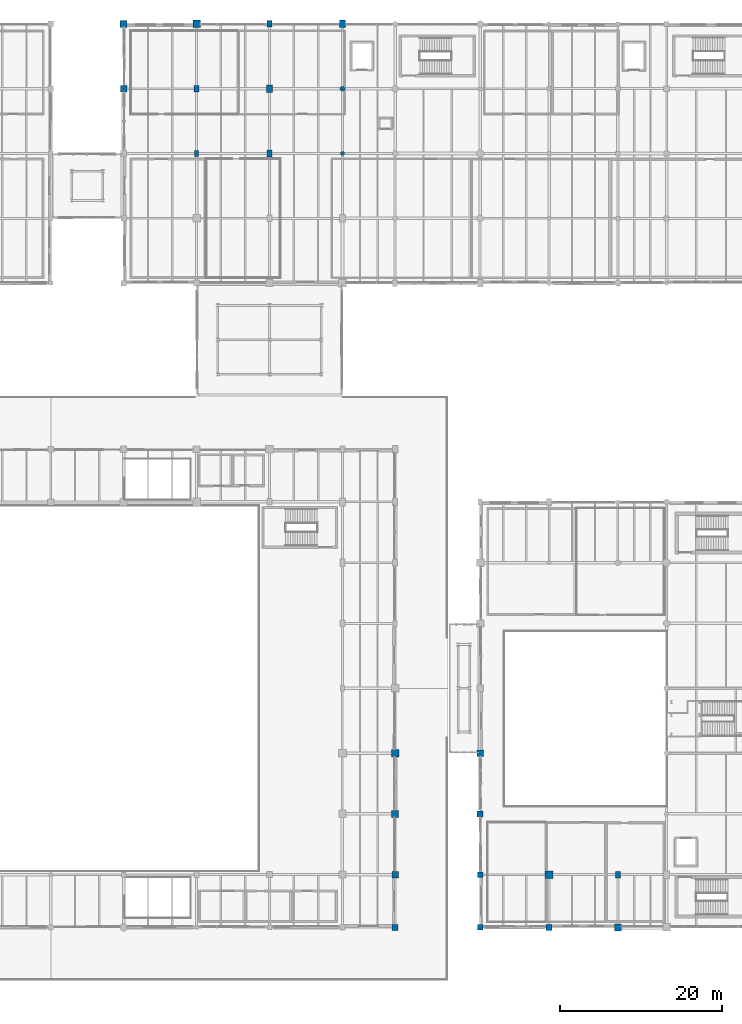
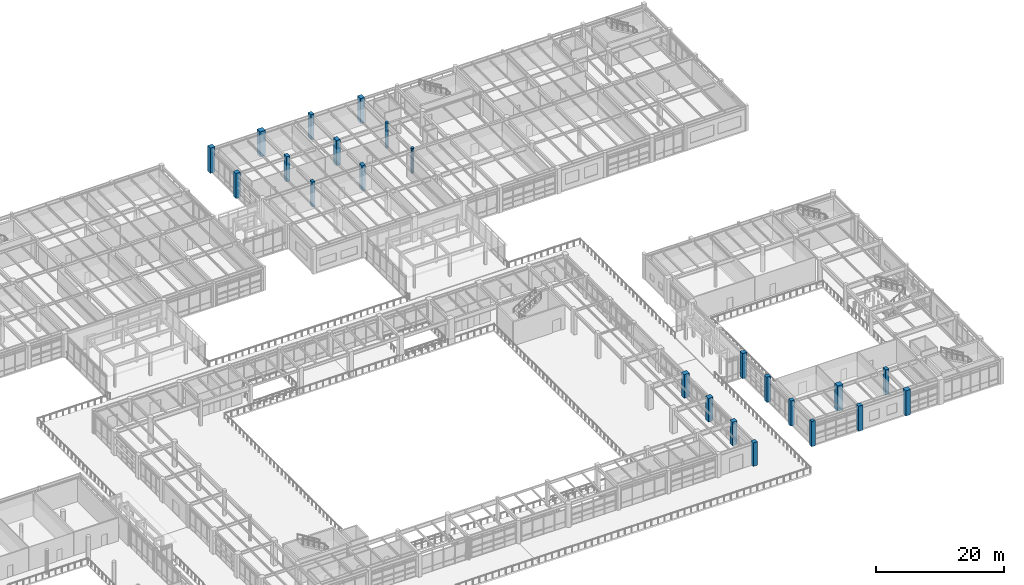
# One storey, part 11 of 200: 23 columns.
"""IFC4 building model written with IfcOpenShell, lengths in metres."""

from ifc_helpers import new_model, si_unit, direction, frame, origin, origin_2d, place, context, subcontext, project, spatial, rectangle, circle, extrude, material, material_profile, profile_set, type_object, element, save


model = new_model("IFC4")

# Units and contexts
model_context = context("Model", 3, precision=1e-05, world=origin(), true_north=direction((0.0, 1.0)))
body_context = subcontext(model_context, "Body", "Model", "MODEL_VIEW")
ifc_project = project(units=[si_unit("LENGTHUNIT", "METRE"), si_unit("AREAUNIT", "SQUARE_METRE"), si_unit("VOLUMEUNIT", "CUBIC_METRE"), si_unit("PLANEANGLEUNIT", "RADIAN"), si_unit("MASSUNIT", "GRAM", prefix="KILO"), si_unit("THERMODYNAMICTEMPERATUREUNIT", "KELVIN"), si_unit("POWERUNIT", "WATT")], contexts=[model_context])

# Site, building, storey
site_placement = place(None, origin())
site = spatial("IfcSite", under=ifc_project, at=site_placement, CompositionType="ELEMENT")
building_placement = place(site_placement, origin())
building = spatial("IfcBuilding", under=site, at=building_placement, Name="Tepalcoro Natatorium and Aquatics Centre", CompositionType="ELEMENT")
storey_placement = place(building_placement, frame((0.0, 0.0, 5.39990234375)))
storey = spatial("IfcBuildingStorey", under=building, at=storey_placement, Name="L01", CompositionType="ELEMENT", Elevation=5.39990234375)

# Columns
ifc_material = material(Name="Concrete C40/50 (fc 40 MPa)", Category="concrete")
ifc_material_profile_1 = material_profile(ifc_material, rectangle(XDim=0.5, YDim=0.699951171875, at=origin_2d()), Name="RC500x700")
ifc_profile_set_1 = profile_set([ifc_material_profile_1], Name="Concrete C40/50 (fc 40 MPa)")
column_type_1 = type_object("IfcColumnType", Name="COL_RC_500x700", PredefinedType="COLUMN", material=ifc_profile_set_1)
column_1_placement = place(storey_placement, frame((107.0, 102.0, 0.0), z_axis=(0.0, 0.0, 1.0), x_axis=(1.0, 0.0, 0.0)))
element("IfcColumn", 1, at=column_1_placement, inside=storey, type_object=column_type_1, Name="V5 L01 Grid Column (107.0, 102.0)", PredefinedType="COLUMN", context=body_context, shape_type="SweptSolid", body=[
    extrude(rectangle(XDim=0.5, YDim=0.699951171875, at=origin_2d()), origin(), (0.0, 0.0, 1.0), 4.800048828125),
])
ifc_material_profile_2 = material_profile(ifc_material, rectangle(XDim=0.60009765625, YDim=0.800048828125, at=origin_2d()), Name="RC600x800")
ifc_profile_set_2 = profile_set([ifc_material_profile_2], Name="Concrete C40/50 (fc 40 MPa)")
column_type_2 = type_object("IfcColumnType", Name="COL_RC_600x800", PredefinedType="COLUMN", material=ifc_profile_set_2)
for number, where, z_axis, x_axis, name in (
    (2, (159.0, 13.0, 0.0), (0.0, 0.0, 1.0), (1.0, 0.0, 0.0), "V2 L01 Grid Column (159.0, 13.0)"),
    (3, (107.0, 110.0, 0.0), (0.0, 0.0, 1.0), (1.0, 0.0, 0.0), "V5 L01 Grid Column (107.0, 110.0)"),
    (4, (116.0, 118.0, 0.0), (0.0, 0.0, 1.0), (1.0, 0.0, 0.0), "V5 L01 Grid Column (116.0, 118.0)"),
):
    element("IfcColumn", number, at=place(storey_placement, frame(where, z_axis=z_axis, x_axis=x_axis)), inside=storey, type_object=column_type_2, Name=name, PredefinedType="COLUMN", context=body_context, shape_type="SweptSolid", body=[
        extrude(rectangle(XDim=0.60009765625, YDim=0.800048828125, at=origin_2d()), origin(), (0.0, 0.0, 1.0), 4.800048828125),
    ])
ifc_material_profile_3 = material_profile(ifc_material, rectangle(XDim=0.60009765625, YDim=0.89990234375, at=origin_2d()), Name="RC600x900")
ifc_profile_set_3 = profile_set([ifc_material_profile_3], Name="Concrete C40/50 (fc 40 MPa)")
column_type_3 = type_object("IfcColumnType", Name="COL_RC_600x900", PredefinedType="COLUMN", material=ifc_profile_set_3)
column_2_placement = place(storey_placement, frame((116.0, 102.0, 0.0), z_axis=(0.0, 0.0, 1.0), x_axis=(1.0, 0.0, 0.0)))
element("IfcColumn", 5, at=column_2_placement, inside=storey, type_object=column_type_3, Name="V5 L01 Grid Column (116.0, 102.0)", PredefinedType="COLUMN", context=body_context, shape_type="SweptSolid", body=[
    extrude(rectangle(XDim=0.60009765625, YDim=0.89990234375, at=origin_2d()), origin(), (0.0, 0.0, 1.0), 4.800048828125),
])
ifc_material_profile_4 = material_profile(ifc_material, rectangle(XDim=0.64990234375, YDim=0.64990234375, at=origin_2d()), Name="RC650x650")
ifc_profile_set_4 = profile_set([ifc_material_profile_4], Name="Concrete C40/50 (fc 40 MPa)")
column_type_4 = type_object("IfcColumnType", Name="COL_RC_650x650", PredefinedType="COLUMN", material=ifc_profile_set_4)
column_3_placement = place(storey_placement, frame((142.0, 6.5, 0.0), z_axis=(0.0, 0.0, 1.0), x_axis=(1.0, 0.0, 0.0)))
element("IfcColumn", 6, at=column_3_placement, inside=storey, type_object=column_type_4, Name="V2 L01 Grid Column (142.0, 6.5)", PredefinedType="COLUMN", context=body_context, shape_type="SweptSolid", body=[
    extrude(rectangle(XDim=0.64990234375, YDim=0.64990234375, at=origin_2d()), origin(), (0.0, 0.0, 1.0), 4.800048828125),
])
ifc_material_profile_5 = material_profile(ifc_material, rectangle(XDim=0.699951171875, YDim=0.699951171875, at=origin_2d()), Name="RC700x700")
ifc_profile_set_5 = profile_set([ifc_material_profile_5], Name="Concrete C40/50 (fc 40 MPa)")
column_type_5 = type_object("IfcColumnType", Name="COL_RC_700x700", PredefinedType="COLUMN", material=ifc_profile_set_5)
column_4_placement = place(storey_placement, frame((142.0, 13.0, 0.0), z_axis=(0.0, 0.0, 1.0), x_axis=(1.0, 0.0, 0.0)))
element("IfcColumn", 7, at=column_4_placement, inside=storey, type_object=column_type_5, Name="V2 L01 Grid Column (142.0, 13.0)", PredefinedType="COLUMN", context=body_context, shape_type="SweptSolid", body=[
    extrude(rectangle(XDim=0.699951171875, YDim=0.699951171875, at=origin_2d()), origin(), (0.0, 0.0, 1.0), 4.800048828125),
])
ifc_material_profile_6 = material_profile(ifc_material, rectangle(XDim=0.699951171875, YDim=0.949951171875, at=origin_2d()), Name="RC700x950")
ifc_profile_set_6 = profile_set([ifc_material_profile_6], Name="Concrete C40/50 (fc 40 MPa)")
column_type_6 = type_object("IfcColumnType", Name="COL_RC_700x950", PredefinedType="COLUMN", material=ifc_profile_set_6)
for number, where, z_axis, x_axis, name in (
    (8, (116.0, 110.0, 0.0), (0.0, 0.0, 1.0), (1.0, 0.0, 0.0), "V5 L01 Grid Column (116.0, 110.0)"),
    (9, (125.0, 118.0, 0.0), (0.0, 0.0, 1.0), (1.0, 0.0, 0.0), "V5 L01 Grid Column (125.0, 118.0)"),
):
    element("IfcColumn", number, at=place(storey_placement, frame(where, z_axis=z_axis, x_axis=x_axis)), inside=storey, type_object=column_type_6, Name=name, PredefinedType="COLUMN", context=body_context, shape_type="SweptSolid", body=[
        extrude(rectangle(XDim=0.699951171875, YDim=0.949951171875, at=origin_2d()), origin(), (0.0, 0.0, 1.0), 4.800048828125),
    ])
ifc_material_profile_7 = material_profile(ifc_material, rectangle(XDim=0.75, YDim=0.75, at=origin_2d()), Name="RC750x750")
ifc_profile_set_7 = profile_set([ifc_material_profile_7], Name="Concrete C40/50 (fc 40 MPa)")
column_type_7 = type_object("IfcColumnType", Name="COL_RC_750x750", PredefinedType="COLUMN", material=ifc_profile_set_7)
column_5_placement = place(storey_placement, frame((131.5, 6.5, 0.0), z_axis=(0.0, 0.0, 1.0), x_axis=(1.0, 0.0, 0.0)))
element("IfcColumn", 10, at=column_5_placement, inside=storey, type_object=column_type_7, Name="V1 L01 Grid Column (131.5, 6.5)", PredefinedType="COLUMN", context=body_context, shape_type="SweptSolid", body=[
    extrude(rectangle(XDim=0.75, YDim=0.75, at=origin_2d()), origin(), (0.0, 0.0, 1.0), 4.47998046875),
])
for number, where, z_axis, x_axis, name in (
    (11, (142.0, 20.5, 0.0), (0.0, 0.0, 1.0), (1.0, 0.0, 0.0), "V2 L01 Grid Column (142.0, 20.5)"),
    (12, (150.5, 6.5, 0.0), (0.0, 0.0, 1.0), (1.0, 0.0, 0.0), "V2 L01 Grid Column (150.5, 6.5)"),
):
    element("IfcColumn", number, at=place(storey_placement, frame(where, z_axis=z_axis, x_axis=x_axis)), inside=storey, type_object=column_type_7, Name=name, PredefinedType="COLUMN", context=body_context, shape_type="SweptSolid", body=[
        extrude(rectangle(XDim=0.75, YDim=0.75, at=origin_2d()), origin(), (0.0, 0.0, 1.0), 4.800048828125),
    ])
ifc_material_profile_8 = material_profile(ifc_material, rectangle(XDim=0.800048828125, YDim=0.800048828125, at=origin_2d()), Name="RC800x800")
ifc_profile_set_8 = profile_set([ifc_material_profile_8], Name="Concrete C40/50 (fc 40 MPa)")
column_type_8 = type_object("IfcColumnType", Name="COL_RC_800x800", PredefinedType="COLUMN", material=ifc_profile_set_8)
column_6_placement = place(storey_placement, frame((131.5, 13.0, 0.0), z_axis=(0.0, 0.0, 1.0), x_axis=(1.0, 0.0, 0.0)))
element("IfcColumn", 13, at=column_6_placement, inside=storey, type_object=column_type_8, Name="V1 L01 Grid Column (131.5, 13.0)", PredefinedType="COLUMN", context=body_context, shape_type="SweptSolid", body=[
    extrude(rectangle(XDim=0.800048828125, YDim=0.800048828125, at=origin_2d()), origin(), (0.0, 0.0, 1.0), 4.47998046875),
])
for number, where, z_axis, x_axis, name in (
    (14, (142.0, 28.0, 0.0), (0.0, 0.0, 1.0), (1.0, 0.0, 0.0), "V2 L01 Grid Column (142.0, 28.0)"),
    (15, (98.0, 110.0, 0.0), (0.0, 0.0, 1.0), (1.0, 0.0, 0.0), "V5 L01 Grid Column (98.0, 110.0)"),
):
    element("IfcColumn", number, at=place(storey_placement, frame(where, z_axis=z_axis, x_axis=x_axis)), inside=storey, type_object=column_type_8, Name=name, PredefinedType="COLUMN", context=body_context, shape_type="SweptSolid", body=[
        extrude(rectangle(XDim=0.800048828125, YDim=0.800048828125, at=origin_2d()), origin(), (0.0, 0.0, 1.0), 4.800048828125),
    ])
ifc_material_profile_9 = material_profile(ifc_material, rectangle(XDim=0.85009765625, YDim=0.85009765625, at=origin_2d()), Name="RC850x850")
ifc_profile_set_9 = profile_set([ifc_material_profile_9], Name="Concrete C40/50 (fc 40 MPa)")
column_type_9 = type_object("IfcColumnType", Name="COL_RC_850x850", PredefinedType="COLUMN", material=ifc_profile_set_9)
column_7_placement = place(storey_placement, frame((131.5, 20.5, 0.0), z_axis=(0.0, 0.0, 1.0), x_axis=(1.0, 0.0, 0.0)))
element("IfcColumn", 16, at=column_7_placement, inside=storey, type_object=column_type_9, Name="V1 L01 Grid Column (131.5, 20.5)", PredefinedType="COLUMN", context=body_context, shape_type="SweptSolid", body=[
    extrude(rectangle(XDim=0.85009765625, YDim=0.85009765625, at=origin_2d()), origin(), (0.0, 0.0, 1.0), 4.47998046875),
])
for number, where, z_axis, x_axis, name in (
    (17, (159.0, 6.5, 0.0), (0.0, 0.0, 1.0), (1.0, 0.0, 0.0), "V2 L01 Grid Column (159.0, 6.5)"),
    (18, (98.0, 118.0, 0.0), (0.0, 0.0, 1.0), (1.0, 0.0, 0.0), "V5 L01 Grid Column (98.0, 118.0)"),
):
    element("IfcColumn", number, at=place(storey_placement, frame(where, z_axis=z_axis, x_axis=x_axis)), inside=storey, type_object=column_type_9, Name=name, PredefinedType="COLUMN", context=body_context, shape_type="SweptSolid", body=[
        extrude(rectangle(XDim=0.85009765625, YDim=0.85009765625, at=origin_2d()), origin(), (0.0, 0.0, 1.0), 4.800048828125),
    ])
ifc_material_profile_10 = material_profile(ifc_material, rectangle(XDim=0.89990234375, YDim=0.89990234375, at=origin_2d()), Name="RC900x900")
ifc_profile_set_10 = profile_set([ifc_material_profile_10], Name="Concrete C40/50 (fc 40 MPa)")
column_type_10 = type_object("IfcColumnType", Name="COL_RC_900x900", PredefinedType="COLUMN", material=ifc_profile_set_10)
column_8_placement = place(storey_placement, frame((131.5, 28.0, 0.0), z_axis=(0.0, 0.0, 1.0), x_axis=(1.0, 0.0, 0.0)))
element("IfcColumn", 19, at=column_8_placement, inside=storey, type_object=column_type_10, Name="V1 L01 Grid Column (131.5, 28.0)", PredefinedType="COLUMN", context=body_context, shape_type="SweptSolid", body=[
    extrude(rectangle(XDim=0.89990234375, YDim=0.89990234375, at=origin_2d()), origin(), (0.0, 0.0, 1.0), 4.47998046875),
])
ifc_material_profile_11 = material_profile(ifc_material, rectangle(XDim=0.949951171875, YDim=0.949951171875, at=origin_2d()), Name="RC950x950")
ifc_profile_set_11 = profile_set([ifc_material_profile_11], Name="Concrete C40/50 (fc 40 MPa)")
column_type_11 = type_object("IfcColumnType", Name="COL_RC_950x950", PredefinedType="COLUMN", material=ifc_profile_set_11)
for number, where, z_axis, x_axis, name in (
    (20, (150.5, 13.0, 0.0), (0.0, 0.0, 1.0), (1.0, 0.0, 0.0), "V2 L01 Grid Column (150.5, 13.0)"),
    (21, (107.0, 118.0, 0.0), (0.0, 0.0, 1.0), (1.0, 0.0, 0.0), "V5 L01 Grid Column (107.0, 118.0)"),
):
    element("IfcColumn", number, at=place(storey_placement, frame(where, z_axis=z_axis, x_axis=x_axis)), inside=storey, type_object=column_type_11, Name=name, PredefinedType="COLUMN", context=body_context, shape_type="SweptSolid", body=[
        extrude(rectangle(XDim=0.949951171875, YDim=0.949951171875, at=origin_2d()), origin(), (0.0, 0.0, 1.0), 4.800048828125),
    ])
ifc_material_profile_12 = material_profile(ifc_material, circle(Radius=0.25, at=origin_2d()), Name="RCD500")
ifc_profile_set_12 = profile_set([ifc_material_profile_12], Name="Concrete C40/50 (fc 40 MPa)")
column_type_12 = type_object("IfcColumnType", Name="COL_RC_D500", PredefinedType="COLUMN", material=ifc_profile_set_12)
column_9_placement = place(storey_placement, frame((125.0, 102.0, 0.0), z_axis=(0.0, 0.0, 1.0), x_axis=(1.0, 0.0, 0.0)))
element("IfcColumn", 22, at=column_9_placement, inside=storey, type_object=column_type_12, Name="V5 L01 Grid Column (125.0, 102.0)", PredefinedType="COLUMN", context=body_context, shape_type="SweptSolid", body=[
    extrude(circle(Radius=0.25, at=origin_2d()), origin(), (0.0, 0.0, 1.0), 4.800048828125),
])
ifc_material_profile_13 = material_profile(ifc_material, circle(Radius=0.300048828125, at=origin_2d()), Name="RCD600")
ifc_profile_set_13 = profile_set([ifc_material_profile_13], Name="Concrete C40/50 (fc 40 MPa)")
column_type_13 = type_object("IfcColumnType", Name="COL_RC_D600", PredefinedType="COLUMN", material=ifc_profile_set_13)
column_10_placement = place(storey_placement, frame((125.0, 110.0, 0.0), z_axis=(0.0, 0.0, 1.0), x_axis=(1.0, 0.0, 0.0)))
element("IfcColumn", 23, at=column_10_placement, inside=storey, type_object=column_type_13, Name="V5 L01 Grid Column (125.0, 110.0)", PredefinedType="COLUMN", context=body_context, shape_type="SweptSolid", body=[
    extrude(circle(Radius=0.300048828125, at=origin_2d()), origin(), (0.0, 0.0, 1.0), 4.800048828125),
])

save(model, "model.ifc")
